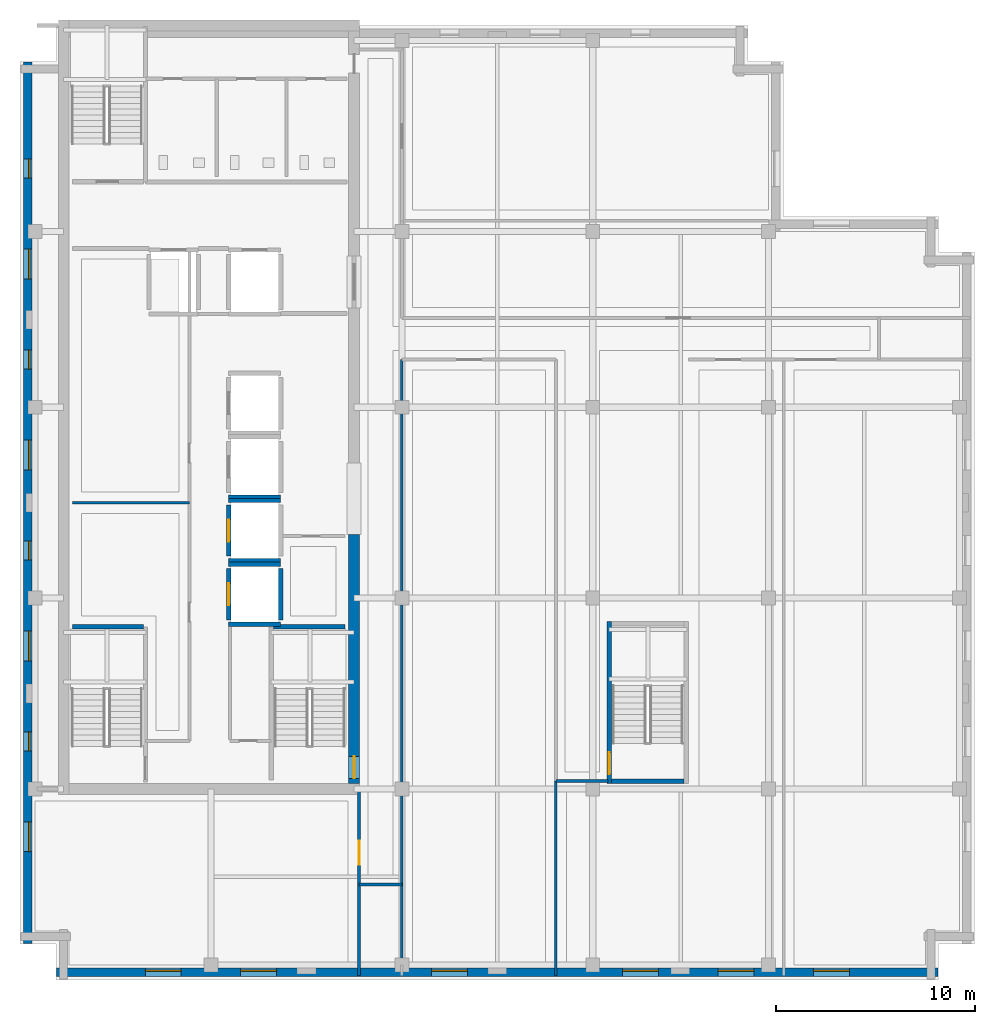
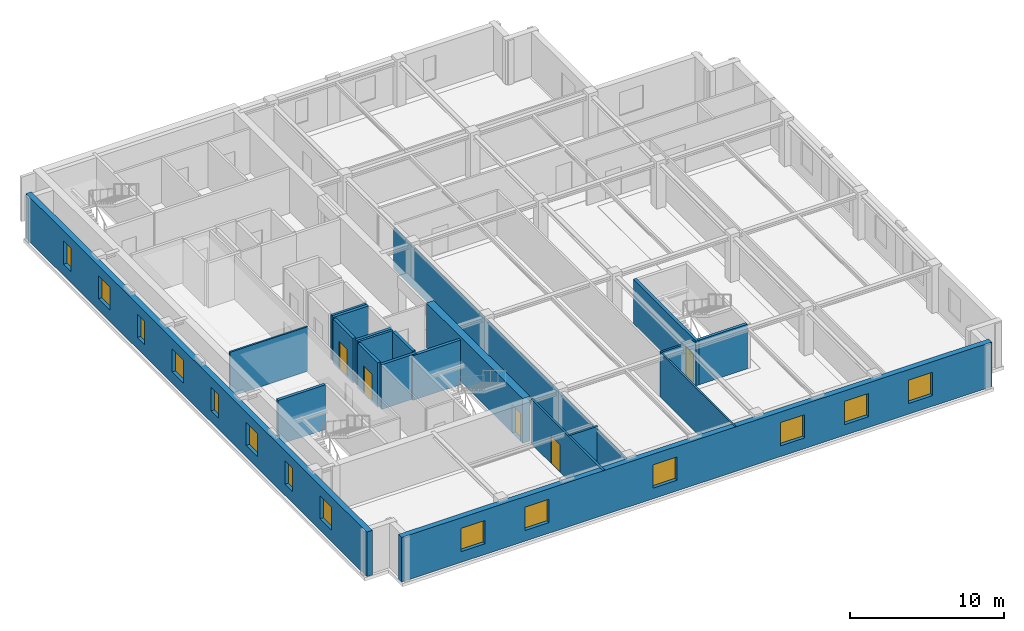
# One storey, part 3 of 11: 21 walls, 14 windows, 5 doors, 19 openings.
"""IFC4 building model written with IfcOpenShell, lengths in metres."""

from ifc_helpers import new_model, si_unit, direction, frame, frame_2d, origin, place, context, subcontext, project, spatial, rectangle, extrude, material, layer, layer_set, type_object, element, fill, save


model = new_model("IFC4")

# Units and contexts
model_context = context("Model", 3, precision=1e-05, world=origin(), true_north=direction((0.0, 1.0)))
body_context = subcontext(model_context, "Body", "Model", "MODEL_VIEW")
ifc_project = project(units=[si_unit("LENGTHUNIT", "METRE"), si_unit("AREAUNIT", "SQUARE_METRE"), si_unit("VOLUMEUNIT", "CUBIC_METRE"), si_unit("PLANEANGLEUNIT", "RADIAN"), si_unit("MASSUNIT", "GRAM", prefix="KILO")], contexts=[model_context])

# Site, building, storey
site_placement = place(None, origin())
site = spatial("IfcSite", under=ifc_project, at=site_placement, CompositionType="ELEMENT")
building_placement = place(site_placement, origin())
building = spatial("IfcBuilding", under=site, at=building_placement, Name="Norrvale University Quadrangle", CompositionType="ELEMENT")
storey_placement = place(building_placement, frame((0.0, 0.0, 300.0)))
storey = spatial("IfcBuildingStorey", under=building, at=storey_placement, Name="L76", CompositionType="ELEMENT", Elevation=300.0)

# Wall, openings, windows
ifc_material_1 = material(Name="Buff Norman Clay Brick Masonry", Category="masonry")
ifc_layer_1 = layer(ifc_material_1, 0.419921875, Name="Buff Norman Clay Brick Masonry")
ifc_layer_set_1 = layer_set([ifc_layer_1], Name="Buff Norman Clay Brick Masonry")
wall_type_1 = type_object("IfcWallType", Name="Wall Buff Brick 420", PredefinedType="SOLIDWALL", material=ifc_layer_set_1)
wall_1_placement = place(storey_placement, frame((1.840087890625, 0.389892578125, 0.0), z_axis=(0.0, 0.0, 1.0), x_axis=(1.0, 0.0, 0.0)))
wall_1 = element("IfcWall", 1, at=wall_1_placement, inside=storey, type_object=wall_type_1, Name="Exterior Brick Facade Wall L76-01.1", PredefinedType="SOLIDWALL", context=body_context, shape_type="SweptSolid", body=[
    extrude(rectangle(XDim=44.31982421875, YDim=0.419921875, at=frame_2d((22.159912109375, 0.0))), origin(), (0.0, 0.0, 1.0), 3.5400390625),
])
opening_1_placement = place(wall_1_placement, frame((4.4599609375, 0.0, 0.85009765625)))
opening_1 = element("IfcOpeningElement", 2, at=opening_1_placement, cuts=wall_1, Name="Opening W01", PredefinedType="OPENING", context=body_context, shape_type="SweptSolid", body=[
    extrude(rectangle(XDim=1.800048828125, YDim=1.85009765625, at=frame_2d((0.89990234375, 0.925048828125))), frame((0.0, 0.221923828125, 0.0), z_axis=(0.0, -1.0, 0.0), x_axis=(1.0, 0.0, 0.0)), (0.0, 0.0, 1.0), 0.44384765625),
])
opening_2_placement = place(wall_1_placement, frame((9.260009765625, 0.0, 0.85009765625)))
opening_2 = element("IfcOpeningElement", 3, at=opening_2_placement, cuts=wall_1, Name="Opening W01", PredefinedType="OPENING", context=body_context, shape_type="SweptSolid", body=[
    extrude(rectangle(XDim=1.800048828125, YDim=1.85009765625, at=frame_2d((0.89990234375, 0.925048828125))), frame((0.0, 0.221923828125, 0.0), z_axis=(0.0, -1.0, 0.0), x_axis=(1.0, 0.0, 0.0)), (0.0, 0.0, 1.0), 0.44384765625),
])
opening_3_placement = place(wall_1_placement, frame((18.860107421875, 0.0, 0.85009765625)))
opening_3 = element("IfcOpeningElement", 4, at=opening_3_placement, cuts=wall_1, Name="Opening W01", PredefinedType="OPENING", context=body_context, shape_type="SweptSolid", body=[
    extrude(rectangle(XDim=1.800048828125, YDim=1.85009765625, at=frame_2d((0.89990234375, 0.925048828125))), frame((0.0, 0.221923828125, 0.0), z_axis=(0.0, -1.0, 0.0), x_axis=(1.0, 0.0, 0.0)), (0.0, 0.0, 1.0), 0.44384765625),
])
opening_4_placement = place(wall_1_placement, frame((28.4599609375, 0.0, 0.85009765625)))
opening_4 = element("IfcOpeningElement", 5, at=opening_4_placement, cuts=wall_1, Name="Opening W01", PredefinedType="OPENING", context=body_context, shape_type="SweptSolid", body=[
    extrude(rectangle(XDim=1.800048828125, YDim=1.85009765625, at=frame_2d((0.89990234375, 0.925048828125))), frame((0.0, 0.221923828125, 0.0), z_axis=(0.0, -1.0, 0.0), x_axis=(1.0, 0.0, 0.0)), (0.0, 0.0, 1.0), 0.44384765625),
])
opening_5_placement = place(wall_1_placement, frame((33.260009765625, 0.0, 0.85009765625)))
opening_5 = element("IfcOpeningElement", 6, at=opening_5_placement, cuts=wall_1, Name="Opening W01", PredefinedType="OPENING", context=body_context, shape_type="SweptSolid", body=[
    extrude(rectangle(XDim=1.800048828125, YDim=1.85009765625, at=frame_2d((0.89990234375, 0.925048828125))), frame((0.0, 0.221923828125, 0.0), z_axis=(0.0, -1.0, 0.0), x_axis=(1.0, 0.0, 0.0)), (0.0, 0.0, 1.0), 0.44384765625),
])
opening_6_placement = place(wall_1_placement, frame((38.06005859375, 0.0, 0.85009765625)))
opening_6 = element("IfcOpeningElement", 7, at=opening_6_placement, cuts=wall_1, Name="Opening W01", PredefinedType="OPENING", context=body_context, shape_type="SweptSolid", body=[
    extrude(rectangle(XDim=1.800048828125, YDim=1.85009765625, at=frame_2d((0.89990234375, 0.925048828125))), frame((0.0, 0.221923828125, 0.0), z_axis=(0.0, -1.0, 0.0), x_axis=(1.0, 0.0, 0.0)), (0.0, 0.0, 1.0), 0.44384765625),
])
ifc_material_2 = material(Name="Triple Low-E Argon Glazing", Category="glass")
window_type_1 = type_object("IfcWindowType", Name="Window Academic 1800x2300", PartitioningType="DOUBLE_PANEL_VERTICAL", PredefinedType="WINDOW", material=ifc_material_2)
window_1_placement = place(opening_1_placement, origin())
window_1 = element("IfcWindow", 8, at=window_1_placement, inside=storey, type_object=window_type_1, Name="Window Academic 1800x2300 WIN-L76-E01-1-01", OverallHeight=1.85009765625, OverallWidth=1.800048828125, PartitioningType="DOUBLE_PANEL_VERTICAL", PredefinedType="WINDOW", context=body_context, shape_type="SweptSolid", body=[
    extrude(rectangle(XDim=1.800048828125, YDim=1.85009765625, at=frame_2d((0.89990234375, 0.925048828125))), frame((0.0, 0.110107421875, 0.0), z_axis=(0.0, -1.0, 0.0), x_axis=(1.0, 0.0, 0.0)), (0.0, 0.0, 1.0), 0.06005859375),
])
fill(opening_1, window_1)
window_2_placement = place(opening_2_placement, origin())
window_2 = element("IfcWindow", 9, at=window_2_placement, inside=storey, type_object=window_type_1, Name="Window Academic 1800x2300 WIN-L76-E01-1-02", OverallHeight=1.85009765625, OverallWidth=1.800048828125, PartitioningType="DOUBLE_PANEL_VERTICAL", PredefinedType="WINDOW", context=body_context, shape_type="SweptSolid", body=[
    extrude(rectangle(XDim=1.800048828125, YDim=1.85009765625, at=frame_2d((0.89990234375, 0.925048828125))), frame((0.0, 0.110107421875, 0.0), z_axis=(0.0, -1.0, 0.0), x_axis=(1.0, 0.0, 0.0)), (0.0, 0.0, 1.0), 0.06005859375),
])
fill(opening_2, window_2)
window_3_placement = place(opening_3_placement, origin())
window_3 = element("IfcWindow", 10, at=window_3_placement, inside=storey, type_object=window_type_1, Name="Window Academic 1800x2300 WIN-L76-E01-1-03", OverallHeight=1.85009765625, OverallWidth=1.800048828125, PartitioningType="DOUBLE_PANEL_VERTICAL", PredefinedType="WINDOW", context=body_context, shape_type="SweptSolid", body=[
    extrude(rectangle(XDim=1.800048828125, YDim=1.85009765625, at=frame_2d((0.89990234375, 0.925048828125))), frame((0.0, 0.110107421875, 0.0), z_axis=(0.0, -1.0, 0.0), x_axis=(1.0, 0.0, 0.0)), (0.0, 0.0, 1.0), 0.06005859375),
])
fill(opening_3, window_3)
window_4_placement = place(opening_4_placement, origin())
window_4 = element("IfcWindow", 11, at=window_4_placement, inside=storey, type_object=window_type_1, Name="Window Academic 1800x2300 WIN-L76-E01-1-04", OverallHeight=1.85009765625, OverallWidth=1.800048828125, PartitioningType="DOUBLE_PANEL_VERTICAL", PredefinedType="WINDOW", context=body_context, shape_type="SweptSolid", body=[
    extrude(rectangle(XDim=1.800048828125, YDim=1.85009765625, at=frame_2d((0.89990234375, 0.925048828125))), frame((0.0, 0.110107421875, 0.0), z_axis=(0.0, -1.0, 0.0), x_axis=(1.0, 0.0, 0.0)), (0.0, 0.0, 1.0), 0.06005859375),
])
fill(opening_4, window_4)
window_5_placement = place(opening_5_placement, origin())
window_5 = element("IfcWindow", 12, at=window_5_placement, inside=storey, type_object=window_type_1, Name="Window Academic 1800x2300 WIN-L76-E01-1-05", OverallHeight=1.85009765625, OverallWidth=1.800048828125, PartitioningType="DOUBLE_PANEL_VERTICAL", PredefinedType="WINDOW", context=body_context, shape_type="SweptSolid", body=[
    extrude(rectangle(XDim=1.800048828125, YDim=1.85009765625, at=frame_2d((0.89990234375, 0.925048828125))), frame((0.0, 0.110107421875, 0.0), z_axis=(0.0, -1.0, 0.0), x_axis=(1.0, 0.0, 0.0)), (0.0, 0.0, 1.0), 0.06005859375),
])
fill(opening_5, window_5)
window_6_placement = place(opening_6_placement, origin())
window_6 = element("IfcWindow", 13, at=window_6_placement, inside=storey, type_object=window_type_1, Name="Window Academic 1800x2300 WIN-L76-E01-1-06", OverallHeight=1.85009765625, OverallWidth=1.800048828125, PartitioningType="DOUBLE_PANEL_VERTICAL", PredefinedType="WINDOW", context=body_context, shape_type="SweptSolid", body=[
    extrude(rectangle(XDim=1.800048828125, YDim=1.85009765625, at=frame_2d((0.89990234375, 0.925048828125))), frame((0.0, 0.110107421875, 0.0), z_axis=(0.0, -1.0, 0.0), x_axis=(1.0, 0.0, 0.0)), (0.0, 0.0, 1.0), 0.06005859375),
])
fill(opening_6, window_6)

wall_2_placement = place(storey_placement, frame((0.389892578125, 46.159912109375, 0.0), z_axis=(0.0, 0.0, 1.0), x_axis=(0.0, -1.0, 0.0)))
wall_2 = element("IfcWall", 14, at=wall_2_placement, inside=storey, type_object=wall_type_1, Name="Exterior Brick Facade Wall L76-14.1", PredefinedType="SOLIDWALL", context=body_context, shape_type="SweptSolid", body=[
    extrude(rectangle(XDim=44.31982421875, YDim=0.419921875, at=frame_2d((22.159912109375, 0.0))), origin(), (0.0, 0.0, 1.0), 3.5400390625),
])
opening_7_placement = place(wall_2_placement, frame((4.885009765625, 0.0, 0.89990234375)))
opening_7 = element("IfcOpeningElement", 15, at=opening_7_placement, cuts=wall_2, Name="Opening W04", PredefinedType="OPENING", context=body_context, shape_type="SweptSolid", body=[
    extrude(rectangle(XDim=0.949951171875, YDim=1.85009765625, at=frame_2d((0.47509765625, 0.925048828125))), frame((0.0, 0.221923828125, 0.0), z_axis=(0.0, -1.0, 0.0), x_axis=(1.0, 0.0, 0.0)), (0.0, 0.0, 1.0), 0.44384765625),
])
opening_8_placement = place(wall_2_placement, frame((9.409912109375, 0.0, 0.89990234375)))
opening_8 = element("IfcOpeningElement", 16, at=opening_8_placement, cuts=wall_2, Name="Opening W03", PredefinedType="OPENING", context=body_context, shape_type="SweptSolid", body=[
    extrude(rectangle(XDim=1.5, YDim=1.85009765625, at=frame_2d((0.75, 0.925048828125))), frame((0.0, 0.221923828125, 0.0), z_axis=(0.0, -1.0, 0.0), x_axis=(1.0, 0.0, 0.0)), (0.0, 0.0, 1.0), 0.44384765625),
])
opening_9_placement = place(wall_2_placement, frame((14.485107421875, 0.0, 0.89990234375)))
opening_9 = element("IfcOpeningElement", 17, at=opening_9_placement, cuts=wall_2, Name="Opening W04", PredefinedType="OPENING", context=body_context, shape_type="SweptSolid", body=[
    extrude(rectangle(XDim=0.949951171875, YDim=1.85009765625, at=frame_2d((0.47509765625, 0.925048828125))), frame((0.0, 0.221923828125, 0.0), z_axis=(0.0, -1.0, 0.0), x_axis=(1.0, 0.0, 0.0)), (0.0, 0.0, 1.0), 0.44384765625),
])
opening_10_placement = place(wall_2_placement, frame((19.010009765625, 0.0, 0.89990234375)))
opening_10 = element("IfcOpeningElement", 18, at=opening_10_placement, cuts=wall_2, Name="Opening W03", PredefinedType="OPENING", context=body_context, shape_type="SweptSolid", body=[
    extrude(rectangle(XDim=1.5, YDim=1.85009765625, at=frame_2d((0.75, 0.925048828125))), frame((0.0, 0.221923828125, 0.0), z_axis=(0.0, -1.0, 0.0), x_axis=(1.0, 0.0, 0.0)), (0.0, 0.0, 1.0), 0.44384765625),
])
opening_11_placement = place(wall_2_placement, frame((24.0849609375, 0.0, 0.89990234375)))
opening_11 = element("IfcOpeningElement", 19, at=opening_11_placement, cuts=wall_2, Name="Opening W04", PredefinedType="OPENING", context=body_context, shape_type="SweptSolid", body=[
    extrude(rectangle(XDim=0.949951171875, YDim=1.85009765625, at=frame_2d((0.47509765625, 0.925048828125))), frame((0.0, 0.221923828125, 0.0), z_axis=(0.0, -1.0, 0.0), x_axis=(1.0, 0.0, 0.0)), (0.0, 0.0, 1.0), 0.44384765625),
])
opening_12_placement = place(wall_2_placement, frame((28.610107421875, 0.0, 0.89990234375)))
opening_12 = element("IfcOpeningElement", 20, at=opening_12_placement, cuts=wall_2, Name="Opening W03", PredefinedType="OPENING", context=body_context, shape_type="SweptSolid", body=[
    extrude(rectangle(XDim=1.5, YDim=1.85009765625, at=frame_2d((0.75, 0.925048828125))), frame((0.0, 0.221923828125, 0.0), z_axis=(0.0, -1.0, 0.0), x_axis=(1.0, 0.0, 0.0)), (0.0, 0.0, 1.0), 0.44384765625),
])
opening_13_placement = place(wall_2_placement, frame((33.68505859375, 0.0, 0.89990234375)))
opening_13 = element("IfcOpeningElement", 21, at=opening_13_placement, cuts=wall_2, Name="Opening W04", PredefinedType="OPENING", context=body_context, shape_type="SweptSolid", body=[
    extrude(rectangle(XDim=0.949951171875, YDim=1.85009765625, at=frame_2d((0.47509765625, 0.925048828125))), frame((0.0, 0.221923828125, 0.0), z_axis=(0.0, -1.0, 0.0), x_axis=(1.0, 0.0, 0.0)), (0.0, 0.0, 1.0), 0.44384765625),
])
opening_14_placement = place(wall_2_placement, frame((38.2099609375, 0.0, 0.89990234375)))
opening_14 = element("IfcOpeningElement", 22, at=opening_14_placement, cuts=wall_2, Name="Opening W03", PredefinedType="OPENING", context=body_context, shape_type="SweptSolid", body=[
    extrude(rectangle(XDim=1.5, YDim=1.85009765625, at=frame_2d((0.75, 0.925048828125))), frame((0.0, 0.221923828125, 0.0), z_axis=(0.0, -1.0, 0.0), x_axis=(1.0, 0.0, 0.0)), (0.0, 0.0, 1.0), 0.44384765625),
])
window_type_2 = type_object("IfcWindowType", Name="Window Narrow Pier 950x2300", PartitioningType="SINGLE_PANEL", PredefinedType="WINDOW", material=ifc_material_2)
window_7_placement = place(opening_7_placement, origin())
window_7 = element("IfcWindow", 23, at=window_7_placement, inside=storey, type_object=window_type_2, Name="Window Narrow Pier 950x2300 WIN-L76-E14-1-01", OverallHeight=1.85009765625, OverallWidth=0.949951171875, PartitioningType="SINGLE_PANEL", PredefinedType="WINDOW", context=body_context, shape_type="SweptSolid", body=[
    extrude(rectangle(XDim=0.949951171875, YDim=1.85009765625, at=frame_2d((0.47509765625, 0.925048828125))), frame((0.0, 0.110107421875, 0.0), z_axis=(0.0, -1.0, 0.0), x_axis=(1.0, 0.0, 0.0)), (0.0, 0.0, 1.0), 0.06005859375),
])
fill(opening_7, window_7)
window_8_placement = place(opening_9_placement, origin())
window_8 = element("IfcWindow", 24, at=window_8_placement, inside=storey, type_object=window_type_2, Name="Window Narrow Pier 950x2300 WIN-L76-E14-1-03", OverallHeight=1.85009765625, OverallWidth=0.949951171875, PartitioningType="SINGLE_PANEL", PredefinedType="WINDOW", context=body_context, shape_type="SweptSolid", body=[
    extrude(rectangle(XDim=0.949951171875, YDim=1.85009765625, at=frame_2d((0.47509765625, 0.925048828125))), frame((0.0, 0.110107421875, 0.0), z_axis=(0.0, -1.0, 0.0), x_axis=(1.0, 0.0, 0.0)), (0.0, 0.0, 1.0), 0.06005859375),
])
fill(opening_9, window_8)
window_9_placement = place(opening_11_placement, origin())
window_9 = element("IfcWindow", 25, at=window_9_placement, inside=storey, type_object=window_type_2, Name="Window Narrow Pier 950x2300 WIN-L76-E14-1-05", OverallHeight=1.85009765625, OverallWidth=0.949951171875, PartitioningType="SINGLE_PANEL", PredefinedType="WINDOW", context=body_context, shape_type="SweptSolid", body=[
    extrude(rectangle(XDim=0.949951171875, YDim=1.85009765625, at=frame_2d((0.47509765625, 0.925048828125))), frame((0.0, 0.110107421875, 0.0), z_axis=(0.0, -1.0, 0.0), x_axis=(1.0, 0.0, 0.0)), (0.0, 0.0, 1.0), 0.06005859375),
])
fill(opening_11, window_9)
window_10_placement = place(opening_13_placement, origin())
window_10 = element("IfcWindow", 26, at=window_10_placement, inside=storey, type_object=window_type_2, Name="Window Narrow Pier 950x2300 WIN-L76-E14-1-07", OverallHeight=1.85009765625, OverallWidth=0.949951171875, PartitioningType="SINGLE_PANEL", PredefinedType="WINDOW", context=body_context, shape_type="SweptSolid", body=[
    extrude(rectangle(XDim=0.949951171875, YDim=1.85009765625, at=frame_2d((0.47509765625, 0.925048828125))), frame((0.0, 0.110107421875, 0.0), z_axis=(0.0, -1.0, 0.0), x_axis=(1.0, 0.0, 0.0)), (0.0, 0.0, 1.0), 0.06005859375),
])
fill(opening_13, window_10)
window_type_3 = type_object("IfcWindowType", Name="Window Studio 1500x2300", PartitioningType="DOUBLE_PANEL_VERTICAL", PredefinedType="WINDOW", material=ifc_material_2)
window_11_placement = place(opening_8_placement, origin())
window_11 = element("IfcWindow", 27, at=window_11_placement, inside=storey, type_object=window_type_3, Name="Window Studio 1500x2300 WIN-L76-E14-1-02", OverallHeight=1.85009765625, OverallWidth=1.5, PartitioningType="DOUBLE_PANEL_VERTICAL", PredefinedType="WINDOW", context=body_context, shape_type="SweptSolid", body=[
    extrude(rectangle(XDim=1.5, YDim=1.85009765625, at=frame_2d((0.75, 0.925048828125))), frame((0.0, 0.110107421875, 0.0), z_axis=(0.0, -1.0, 0.0), x_axis=(1.0, 0.0, 0.0)), (0.0, 0.0, 1.0), 0.06005859375),
])
fill(opening_8, window_11)
window_12_placement = place(opening_10_placement, origin())
window_12 = element("IfcWindow", 28, at=window_12_placement, inside=storey, type_object=window_type_3, Name="Window Studio 1500x2300 WIN-L76-E14-1-04", OverallHeight=1.85009765625, OverallWidth=1.5, PartitioningType="DOUBLE_PANEL_VERTICAL", PredefinedType="WINDOW", context=body_context, shape_type="SweptSolid", body=[
    extrude(rectangle(XDim=1.5, YDim=1.85009765625, at=frame_2d((0.75, 0.925048828125))), frame((0.0, 0.110107421875, 0.0), z_axis=(0.0, -1.0, 0.0), x_axis=(1.0, 0.0, 0.0)), (0.0, 0.0, 1.0), 0.06005859375),
])
fill(opening_10, window_12)
window_13_placement = place(opening_12_placement, origin())
window_13 = element("IfcWindow", 29, at=window_13_placement, inside=storey, type_object=window_type_3, Name="Window Studio 1500x2300 WIN-L76-E14-1-06", OverallHeight=1.85009765625, OverallWidth=1.5, PartitioningType="DOUBLE_PANEL_VERTICAL", PredefinedType="WINDOW", context=body_context, shape_type="SweptSolid", body=[
    extrude(rectangle(XDim=1.5, YDim=1.85009765625, at=frame_2d((0.75, 0.925048828125))), frame((0.0, 0.110107421875, 0.0), z_axis=(0.0, -1.0, 0.0), x_axis=(1.0, 0.0, 0.0)), (0.0, 0.0, 1.0), 0.06005859375),
])
fill(opening_12, window_13)
window_14_placement = place(opening_14_placement, origin())
window_14 = element("IfcWindow", 30, at=window_14_placement, inside=storey, type_object=window_type_3, Name="Window Studio 1500x2300 WIN-L76-E14-1-08", OverallHeight=1.85009765625, OverallWidth=1.5, PartitioningType="DOUBLE_PANEL_VERTICAL", PredefinedType="WINDOW", context=body_context, shape_type="SweptSolid", body=[
    extrude(rectangle(XDim=1.5, YDim=1.85009765625, at=frame_2d((0.75, 0.925048828125))), frame((0.0, 0.110107421875, 0.0), z_axis=(0.0, -1.0, 0.0), x_axis=(1.0, 0.0, 0.0)), (0.0, 0.0, 1.0), 0.06005859375),
])
fill(opening_14, window_14)

# Wall, opening, door
ifc_material_3 = material(Name="Concrete C60/75", Category="concrete")
ifc_layer_2 = layer(ifc_material_3, 0.550048828125, Name="Concrete C60/75")
ifc_layer_set_2 = layer_set([ifc_layer_2], Name="Concrete C60/75")
wall_type_2 = type_object("IfcWallType", Name="Wall Core 550", PredefinedType="SHEAR", material=ifc_layer_set_2)
wall_3_placement = place(storey_placement, frame((16.800048828125, 9.875, 0.0), z_axis=(0.0, 0.0, 1.0), x_axis=(0.0, 1.0, 0.0)))
wall_3 = element("IfcWall", 31, at=wall_3_placement, inside=storey, type_object=wall_type_2, Name="Tower Core Shear Wall L76-E1", PredefinedType="SHEAR", context=body_context, shape_type="SweptSolid", body=[
    extrude(rectangle(XDim=12.52490234375, YDim=0.550048828125, at=frame_2d((6.262451171875, 0.0))), origin(), (0.0, 0.0, 1.0), 3.5400390625),
])
opening_15_placement = place(wall_3_placement, frame((0.264892578125, 0.0, 0.0)))
opening_15 = element("IfcOpeningElement", 32, at=opening_15_placement, cuts=wall_3, Name="Opening D02", PredefinedType="OPENING", context=body_context, shape_type="SweptSolid", body=[
    extrude(rectangle(XDim=1.10009765625, YDim=2.199951171875, at=frame_2d((0.550048828125, 1.10009765625))), frame((0.0, 0.287109375, 0.0), z_axis=(0.0, -1.0, 0.0), x_axis=(1.0, 0.0, 0.0)), (0.0, 0.0, 1.0), 0.573974609375),
])
ifc_material_4 = material(Name="Hollow Steel 350W Fire Door", Category="steel")
door_type_1 = type_object("IfcDoorType", Name="Door Stair Exit 1100x2200", OperationType="NOTDEFINED", PredefinedType="DOOR", material=ifc_material_4)
door_1_placement = place(opening_15_placement, origin())
door_1 = element("IfcDoor", 33, at=door_1_placement, inside=storey, type_object=door_type_1, Name="Door Stair Exit 1100x2200 DR-L76-ST03", OperationType="SINGLE_SWING_LEFT", OverallHeight=2.199951171875, OverallWidth=1.10009765625, PredefinedType="DOOR", context=body_context, shape_type="SweptSolid", body=[
    extrude(rectangle(XDim=1.10009765625, YDim=2.199951171875, at=frame_2d((0.550048828125, 1.10009765625))), frame((0.0, 0.02490234375, 0.0), z_axis=(0.0, -1.0, 0.0), x_axis=(1.0, 0.0, 0.0)), (0.0, 0.0, 1.0), 0.050048828125),
])
fill(opening_15, door_1)

# Walls
ifc_material_5 = material(Name="Standard Academic Gypsum Partition")
ifc_layer_3 = layer(ifc_material_5, 0.125, Name="Standard Academic Gypsum Partition")
ifc_layer_set_3 = layer_set([ifc_layer_3], Name="Standard Academic Gypsum Partition")
wall_type_3 = type_object("IfcWallType", Name="Wall Gypsum Academic 125", PredefinedType="PARTITIONING", material=ifc_layer_set_3)
wall_4_placement = place(storey_placement, frame((2.64990234375, 24.0, 0.0), z_axis=(0.0, 0.0, 1.0), x_axis=(1.0, 0.0, 0.0)))
element("IfcWall", 34, at=wall_4_placement, inside=storey, type_object=wall_type_3, Name="Interior Partition WL-L76-REC-M", PredefinedType="PARTITIONING", context=body_context, shape_type="SweptSolid", body=[
    extrude(rectangle(XDim=5.8701171875, YDim=0.125, at=frame_2d((2.93505859375, 0.0))), origin(), (0.0, 0.0, 1.0), 3.5400390625),
])
wall_5_placement = place(storey_placement, frame((19.199951171875, 0.75, 0.0), z_axis=(0.0, 0.0, 1.0), x_axis=(0.0, 1.0, 0.0)))
element("IfcWall", 35, at=wall_5_placement, inside=storey, type_object=wall_type_3, Name="Interior Partition WL-L76-SE-W0-B2", PredefinedType="PARTITIONING", context=body_context, shape_type="SweptSolid", body=[
    extrude(rectangle(XDim=30.449951171875, YDim=0.125, at=frame_2d((15.22509765625, 0.0))), origin(), (0.0, 0.0, 1.0), 3.23193359375),
])
wall_6_placement = place(storey_placement, frame((26.949951171875, 0.219970703125, 0.0), z_axis=(0.0, 0.0, 1.0), x_axis=(0.0, 1.0, 0.0)))
element("IfcWall", 36, at=wall_6_placement, inside=storey, type_object=wall_type_3, Name="Interior Partition WL-L76-SEP1A", PredefinedType="PARTITIONING", context=body_context, shape_type="SweptSolid", body=[
    extrude(rectangle(XDim=9.780029296875, YDim=0.125, at=frame_2d((4.89013671875, 0.0))), origin(), (0.0, 0.0, 1.0), 3.5400390625),
])
ifc_material_6 = material(Name="Fire-Rated Gypsum Stud Partition")
ifc_layer_4 = layer(ifc_material_6, 0.14990234375, Name="Fire-Rated Gypsum Stud Partition")
ifc_layer_set_4 = layer_set([ifc_layer_4], Name="Fire-Rated Gypsum Stud Partition")
wall_type_4 = type_object("IfcWallType", Name="Wall Gypsum Corridor 150", PredefinedType="PARTITIONING", material=ifc_layer_set_4)
wall_7_placement = place(storey_placement, frame((17.050048828125, 4.800048828125, 0.0), z_axis=(0.0, 0.0, 1.0), x_axis=(1.0, 0.0, 0.0)))
element("IfcWall", 37, at=wall_7_placement, inside=storey, type_object=wall_type_4, Name="Interior Partition WL-L76-CSP-S", PredefinedType="PARTITIONING", context=body_context, shape_type="SweptSolid", body=[
    extrude(rectangle(XDim=2.14990234375, YDim=0.14990234375, at=frame_2d((1.074951171875, 0.0))), origin(), (0.0, 0.0, 1.0), 3.5400390625),
])

# Wall, opening, door
wall_8_placement = place(storey_placement, frame((17.050048828125, 0.219970703125, 0.0), z_axis=(0.0, 0.0, 1.0), x_axis=(0.0, 1.0, 0.0)))
wall_8 = element("IfcWall", 38, at=wall_8_placement, inside=storey, type_object=wall_type_4, Name="Interior Partition WL-L76-SW-E", PredefinedType="PARTITIONING", context=body_context, shape_type="SweptSolid", body=[
    extrude(rectangle(XDim=9.380126953125, YDim=0.14990234375, at=frame_2d((4.68994140625, 0.0))), origin(), (0.0, 0.0, 1.0), 3.5400390625),
])
opening_16_placement = place(wall_8_placement, frame((5.580078125, 0.0, 0.0)))
opening_16 = element("IfcOpeningElement", 39, at=opening_16_placement, cuts=wall_8, Name="Opening D05", PredefinedType="OPENING", context=body_context, shape_type="SweptSolid", body=[
    extrude(rectangle(XDim=1.199951171875, YDim=2.199951171875, at=frame_2d((0.60009765625, 1.10009765625))), frame((0.0, 0.0869140625, 0.0), z_axis=(0.0, -1.0, 0.0), x_axis=(1.0, 0.0, 0.0)), (0.0, 0.0, 1.0), 0.173828125),
])
ifc_material_7 = material(Name="Acoustic Oak Classroom Door", Category="wood")
door_type_2 = type_object("IfcDoorType", Name="Door Classroom 1200x2200", OperationType="NOTDEFINED", PredefinedType="DOOR", material=ifc_material_7)
door_2_placement = place(opening_16_placement, origin())
door_2 = element("IfcDoor", 40, at=door_2_placement, inside=storey, type_object=door_type_2, Name="Door Classroom 1200x2200 DR-L76-SW1", OperationType="SINGLE_SWING_LEFT", OverallHeight=2.199951171875, OverallWidth=1.199951171875, PredefinedType="DOOR", context=body_context, shape_type="SweptSolid", body=[
    extrude(rectangle(XDim=1.199951171875, YDim=2.199951171875, at=frame_2d((0.60009765625, 1.10009765625))), frame((0.0, 0.02490234375, 0.0), z_axis=(0.0, -1.0, 0.0), x_axis=(1.0, 0.0, 0.0)), (0.0, 0.0, 1.0), 0.050048828125),
])
fill(opening_16, door_2)

# Walls
wall_9_placement = place(storey_placement, frame((26.949951171875, 10.0, 0.0), z_axis=(0.0, 0.0, 1.0), x_axis=(1.0, 0.0, 0.0)))
element("IfcWall", 41, at=wall_9_placement, inside=storey, type_object=wall_type_4, Name="Interior Partition WL-L76-SEP1C", PredefinedType="PARTITIONING", context=body_context, shape_type="SweptSolid", body=[
    extrude(rectangle(XDim=2.630126953125, YDim=0.14990234375, at=frame_2d((1.31494140625, 0.0))), origin(), (0.0, 0.0, 1.0), 3.5400390625),
])
ifc_material_8 = material(Name="Concrete Blockwork 20 MPa Fire Shaft", Category="masonry")
ifc_layer_5 = layer(ifc_material_8, 0.219970703125, Name="Concrete Blockwork 20 MPa Fire Shaft")
ifc_layer_set_5 = layer_set([ifc_layer_5], Name="Concrete Blockwork 20 MPa Fire Shaft")
wall_type_5 = type_object("IfcWallType", Name="Wall Shaft 220", PredefinedType="SOLIDWALL", material=ifc_layer_set_5)
wall_10_placement = place(storey_placement, frame((2.64990234375, 17.760009765625, 0.0), z_axis=(0.0, 0.0, 1.0), x_axis=(1.0, 0.0, 0.0)))
element("IfcWall", 42, at=wall_10_placement, inside=storey, type_object=wall_type_5, Name="Stair ST-01 North Shaft Wall L76", PredefinedType="SOLIDWALL", context=body_context, shape_type="SweptSolid", body=[
    extrude(rectangle(XDim=3.550048828125, YDim=0.219970703125, at=frame_2d((1.77490234375, 0.0))), origin(), (0.0, 0.0, 1.0), 3.5400390625),
])
wall_11_placement = place(storey_placement, frame((12.75, 17.760009765625, 0.0), z_axis=(0.0, 0.0, 1.0), x_axis=(1.0, 0.0, 0.0)))
element("IfcWall", 43, at=wall_11_placement, inside=storey, type_object=wall_type_5, Name="Stair ST-03 North Shaft Wall L76", PredefinedType="SOLIDWALL", context=body_context, shape_type="SweptSolid", body=[
    extrude(rectangle(XDim=3.60009765625, YDim=0.219970703125, at=frame_2d((1.800048828125, 0.0))), origin(), (0.0, 0.0, 1.0), 3.5400390625),
])
wall_12_placement = place(storey_placement, frame((29.75, 9.989990234375, 0.0), z_axis=(0.0, 0.0, 1.0), x_axis=(1.0, 0.0, 0.0)))
element("IfcWall", 44, at=wall_12_placement, inside=storey, type_object=wall_type_5, Name="Stair ST-04 South Shaft Wall L76", PredefinedType="SOLIDWALL", context=body_context, shape_type="SweptSolid", body=[
    extrude(rectangle(XDim=3.64990234375, YDim=0.219970703125, at=frame_2d((1.824951171875, 0.0))), origin(), (0.0, 0.0, 1.0), 3.5400390625),
])

# Wall, opening, door
wall_13_placement = place(storey_placement, frame((29.639892578125, 9.8798828125, 0.0), z_axis=(0.0, 0.0, 1.0), x_axis=(0.0, 1.0, 0.0)))
wall_13 = element("IfcWall", 45, at=wall_13_placement, inside=storey, type_object=wall_type_5, Name="Stair ST-04 West Shaft Wall L76", PredefinedType="SOLIDWALL", context=body_context, shape_type="SweptSolid", body=[
    extrude(rectangle(XDim=8.14013671875, YDim=0.219970703125, at=frame_2d((4.070068359375, 0.0))), origin(), (0.0, 0.0, 1.0), 3.5400390625),
])
opening_17_placement = place(wall_13_placement, frame((0.469970703125, 0.0, 0.0)))
opening_17 = element("IfcOpeningElement", 46, at=opening_17_placement, cuts=wall_13, Name="Opening D02", PredefinedType="OPENING", context=body_context, shape_type="SweptSolid", body=[
    extrude(rectangle(XDim=1.10009765625, YDim=2.199951171875, at=frame_2d((0.550048828125, 1.10009765625))), frame((0.0, 0.1220703125, 0.0), z_axis=(0.0, -1.0, 0.0), x_axis=(1.0, 0.0, 0.0)), (0.0, 0.0, 1.0), 0.243896484375),
])
door_3_placement = place(opening_17_placement, frame((1.10009765625, 0.0, 0.0), z_axis=(0.0, 0.0, 1.0), x_axis=(-1.0, 0.0, 0.0)))
door_3 = element("IfcDoor", 47, at=door_3_placement, inside=storey, type_object=door_type_1, Name="Door Stair Exit 1100x2200 DR-L76-ST04", OperationType="SINGLE_SWING_RIGHT", OverallHeight=2.199951171875, OverallWidth=1.10009765625, PredefinedType="DOOR", context=body_context, shape_type="SweptSolid", body=[
    extrude(rectangle(XDim=1.10009765625, YDim=2.199951171875, at=frame_2d((0.550048828125, 1.10009765625))), frame((0.0, 0.02490234375, 0.0), z_axis=(0.0, -1.0, 0.0), x_axis=(1.0, 0.0, 0.0)), (0.0, 0.0, 1.0), 0.050048828125),
])
fill(opening_17, door_3)

wall_14_placement = place(storey_placement, frame((10.489990234375, 18.110107421875, 0.0), z_axis=(0.0, 0.0, 1.0), x_axis=(0.0, 1.0, 0.0)))
wall_14 = element("IfcWall", 48, at=wall_14_placement, inside=storey, type_object=wall_type_5, Name="Hoistway PL-05 West Wall L76", PredefinedType="SOLIDWALL", context=body_context, shape_type="SweptSolid", body=[
    extrude(rectangle(XDim=2.579833984375, YDim=0.219970703125, at=frame_2d((1.2900390625, 0.0))), origin(), (0.0, 0.0, 1.0), 3.5400390625),
])
opening_18_placement = place(wall_14_placement, frame((0.739990234375, 0.0, 0.0)))
opening_18 = element("IfcOpeningElement", 49, at=opening_18_placement, cuts=wall_14, Name="Opening LD1", PredefinedType="OPENING", context=body_context, shape_type="SweptSolid", body=[
    extrude(rectangle(XDim=1.10009765625, YDim=2.199951171875, at=frame_2d((0.550048828125, 1.10009765625))), frame((0.0, 0.1220703125, 0.0), z_axis=(0.0, -1.0, 0.0), x_axis=(1.0, 0.0, 0.0)), (0.0, 0.0, 1.0), 0.243896484375),
])
ifc_material_9 = material(Name="Stainless Steel 316L Lift Landing Door", Category="steel")
door_type_3 = type_object("IfcDoorType", Name="Door Lift Landing 1100x2200", OperationType="DOUBLE_DOOR_SLIDING", PredefinedType="DOOR", material=ifc_material_9)
door_4_placement = place(opening_18_placement, origin())
door_4 = element("IfcDoor", 50, at=door_4_placement, inside=storey, type_object=door_type_3, Name="Elevator Landing Door DR-L76-PL-05", OperationType="DOUBLE_DOOR_SLIDING", OverallHeight=2.199951171875, OverallWidth=1.10009765625, PredefinedType="DOOR", context=body_context, shape_type="SweptSolid", body=[
    extrude(rectangle(XDim=1.10009765625, YDim=2.199951171875, at=frame_2d((0.550048828125, 1.10009765625))), frame((0.0, 0.02490234375, 0.0), z_axis=(0.0, -1.0, 0.0), x_axis=(1.0, 0.0, 0.0)), (0.0, 0.0, 1.0), 0.050048828125),
])
fill(opening_18, door_4)

# Walls
wall_15_placement = place(storey_placement, frame((13.110107421875, 18.110107421875, 0.0), z_axis=(0.0, 0.0, 1.0), x_axis=(0.0, 1.0, 0.0)))
element("IfcWall", 51, at=wall_15_placement, inside=storey, type_object=wall_type_5, Name="Hoistway PL-05 East Wall L76", PredefinedType="SOLIDWALL", context=body_context, shape_type="SweptSolid", body=[
    extrude(rectangle(XDim=2.579833984375, YDim=0.219970703125, at=frame_2d((1.2900390625, 0.0))), origin(), (0.0, 0.0, 1.0), 3.5400390625),
])
for number, where, z_axis, x_axis, name in (
    (52, (10.489990234375, 17.889892578125, 0.0), (0.0, 0.0, 1.0), (1.0, 0.0, 0.0), "Hoistway PL-05 South Wall L76"),
    (53, (10.489990234375, 20.909912109375, 0.0), (0.0, 0.0, 1.0), (1.0, 0.0, 0.0), "Hoistway PL-05 North Wall L76"),
):
    element("IfcWall", number, at=place(storey_placement, frame(where, z_axis=z_axis, x_axis=x_axis)), inside=storey, type_object=wall_type_5, Name=name, PredefinedType="SOLIDWALL", context=body_context, shape_type="SweptSolid", body=[
        extrude(rectangle(XDim=2.6201171875, YDim=0.219970703125, at=frame_2d((1.31005859375, 0.0))), origin(), (0.0, 0.0, 1.0), 3.5400390625),
    ])

# Wall, opening, door
wall_16_placement = place(storey_placement, frame((10.489990234375, 21.31005859375, 0.0), z_axis=(0.0, 0.0, 1.0), x_axis=(0.0, 1.0, 0.0)))
wall_16 = element("IfcWall", 54, at=wall_16_placement, inside=storey, type_object=wall_type_5, Name="Hoistway PL-06 West Wall L76", PredefinedType="SOLIDWALL", context=body_context, shape_type="SweptSolid", body=[
    extrude(rectangle(XDim=2.579833984375, YDim=0.219970703125, at=frame_2d((1.2900390625, 0.0))), origin(), (0.0, 0.0, 1.0), 3.5400390625),
])
opening_19_placement = place(wall_16_placement, frame((0.739990234375, 0.0, 0.0)))
opening_19 = element("IfcOpeningElement", 55, at=opening_19_placement, cuts=wall_16, Name="Opening LD1", PredefinedType="OPENING", context=body_context, shape_type="SweptSolid", body=[
    extrude(rectangle(XDim=1.10009765625, YDim=2.199951171875, at=frame_2d((0.550048828125, 1.10009765625))), frame((0.0, 0.1220703125, 0.0), z_axis=(0.0, -1.0, 0.0), x_axis=(1.0, 0.0, 0.0)), (0.0, 0.0, 1.0), 0.243896484375),
])
door_5_placement = place(opening_19_placement, origin())
door_5 = element("IfcDoor", 56, at=door_5_placement, inside=storey, type_object=door_type_3, Name="Elevator Landing Door DR-L76-PL-06", OperationType="DOUBLE_DOOR_SLIDING", OverallHeight=2.199951171875, OverallWidth=1.10009765625, PredefinedType="DOOR", context=body_context, shape_type="SweptSolid", body=[
    extrude(rectangle(XDim=1.10009765625, YDim=2.199951171875, at=frame_2d((0.550048828125, 1.10009765625))), frame((0.0, 0.02490234375, 0.0), z_axis=(0.0, -1.0, 0.0), x_axis=(1.0, 0.0, 0.0)), (0.0, 0.0, 1.0), 0.050048828125),
])
fill(opening_19, door_5)

# Walls
for number, where, z_axis, x_axis, name in (
    (57, (10.489990234375, 21.090087890625, 0.0), (0.0, 0.0, 1.0), (1.0, 0.0, 0.0), "Hoistway PL-06 South Wall L76"),
    (58, (10.489990234375, 24.110107421875, 0.0), (0.0, 0.0, 1.0), (1.0, 0.0, 0.0), "Hoistway PL-06 North Wall L76"),
    (59, (10.489990234375, 24.2900390625, 0.0), (0.0, 0.0, 1.0), (1.0, 0.0, 0.0), "Hoistway PL-07 South Wall L76"),
):
    element("IfcWall", number, at=place(storey_placement, frame(where, z_axis=z_axis, x_axis=x_axis)), inside=storey, type_object=wall_type_5, Name=name, PredefinedType="SOLIDWALL", context=body_context, shape_type="SweptSolid", body=[
        extrude(rectangle(XDim=2.6201171875, YDim=0.219970703125, at=frame_2d((1.31005859375, 0.0))), origin(), (0.0, 0.0, 1.0), 3.5400390625),
    ])

save(model, "model.ifc")
